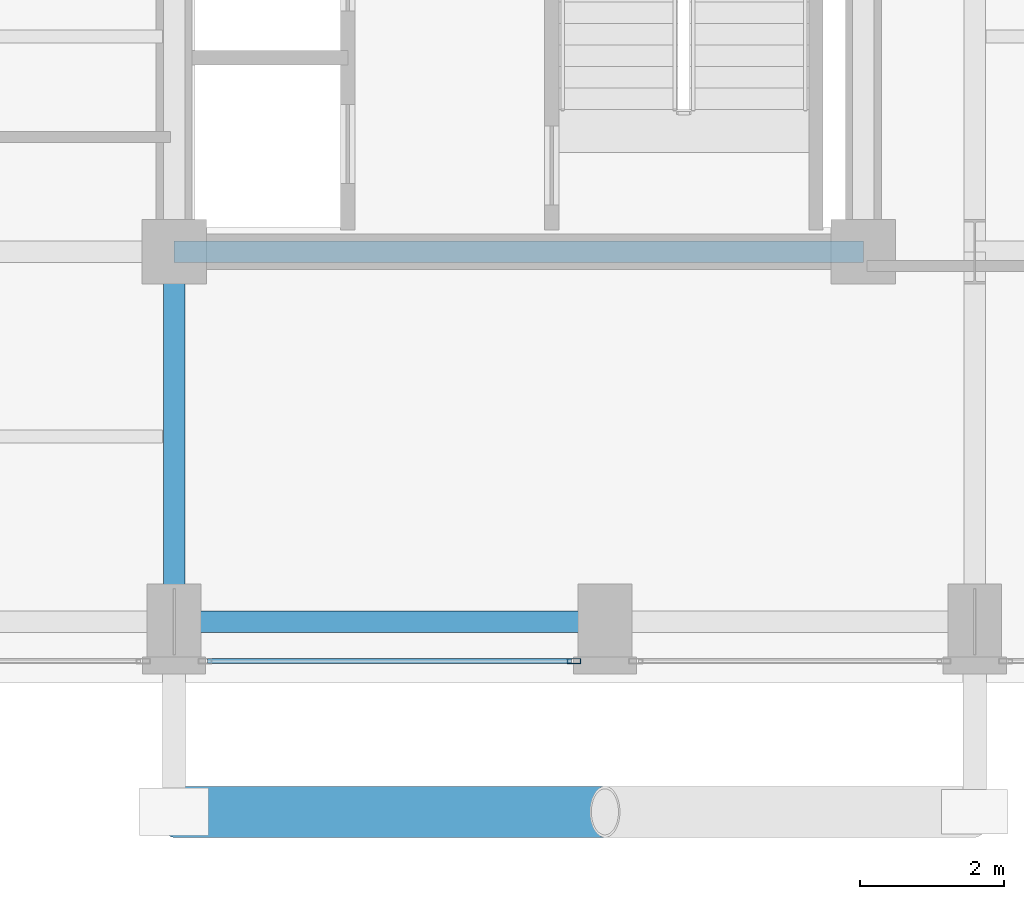
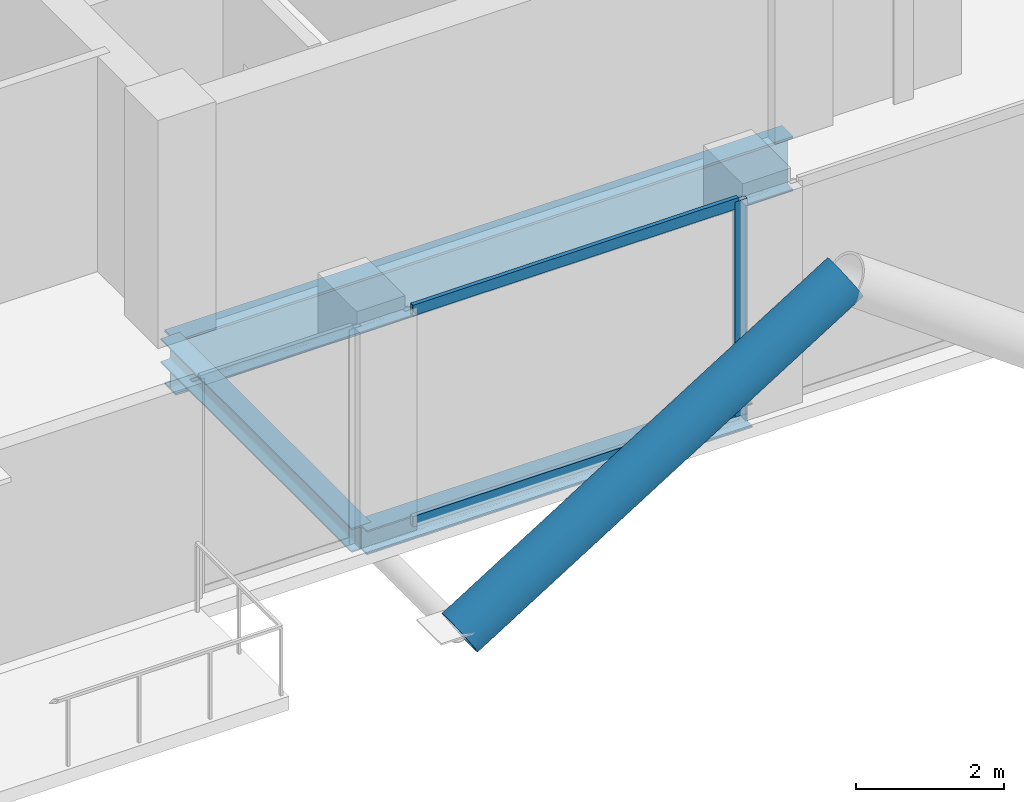
# One storey, part 5 of 21: 4 members, 3 beams, 1 element without a shape of its own.
"""IFC4 building model written with IfcOpenShell, lengths in metres."""

from ifc_helpers import new_model, si_unit, direction, frame, origin, origin_2d, place, context, subcontext, project, spatial, hollow_rectangle, hollow_circle, i_section, extrude, material, layer, layer_set, material_profile, profile_set, type_object, element, aggregate, save


model = new_model("IFC4")

# Units and contexts
model_context = context("Model", 3, precision=1e-05, world=origin(), true_north=direction((0.0, 1.0)))
body_context = subcontext(model_context, "Body", "Model", "MODEL_VIEW")
ifc_project = project(units=[si_unit("LENGTHUNIT", "METRE"), si_unit("AREAUNIT", "SQUARE_METRE"), si_unit("VOLUMEUNIT", "CUBIC_METRE"), si_unit("PLANEANGLEUNIT", "RADIAN"), si_unit("MASSUNIT", "GRAM", prefix="KILO"), si_unit("THERMODYNAMICTEMPERATUREUNIT", "KELVIN"), si_unit("POWERUNIT", "WATT")], contexts=[model_context])

# Site, building, storey
site_placement = place(None, origin())
site = spatial("IfcSite", under=ifc_project, at=site_placement, CompositionType="ELEMENT")
building_placement = place(site_placement, origin())
building = spatial("IfcBuilding", under=site, at=building_placement, Name="Svarakhadi Broadcast Tower", CompositionType="ELEMENT")
storey_placement = place(building_placement, frame((0.0, 0.0, 223.64990234375)))
storey = spatial("IfcBuildingStorey", under=building, at=storey_placement, Name="L55", CompositionType="ELEMENT", Elevation=223.64990234375)

# Curtain wall, members
ifc_material_1 = material(Name="Anodised Bronze Aluminium AA 6063-T6", Category="aluminium")
ifc_layer = layer(ifc_material_1, 0.18994140625)
ifc_layer_set = layer_set([ifc_layer], Name="Anodised Bronze Aluminium AA 6063-T6")
curtain_wall_type = type_object("IfcCurtainWallType", Name="CW_Sys_04", PredefinedType="NOTDEFINED", material=ifc_layer_set)
curtain_wall_placement = place(storey_placement, origin())
curtain_wall = element("IfcCurtainWall", 1, at=curtain_wall_placement, inside=storey, type_object=curtain_wall_type, Name="L55 South Curtain Wall 16 Bay 3", PredefinedType="NOTDEFINED")
ifc_material_profile_1 = material_profile(ifc_material_1, hollow_rectangle(XDim=0.070068359375, YDim=0.18994140625, WallThickness=0.005615234375, at=origin_2d()), Name="ALU MULLION 190x70x6")
ifc_profile_set_1 = profile_set([ifc_material_profile_1], Name="Anodised Bronze Aluminium AA 6063-T6")
member_type_1 = type_object("IfcMemberType", Name="CW_Sys_04_Mul", PredefinedType="MULLION", material=ifc_profile_set_1)
member_1_placement = place(storey_placement, frame((29.570068359375, 0.300048828125, 0.0), z_axis=(0.0, 0.0, 1.0), x_axis=(0.0, -1.0, 0.0)))
member_1 = element("IfcMember", 2, at=member_1_placement, type_object=member_type_1, Name="CW-04 mullion 1", PredefinedType="MULLION", context=body_context, shape_type="SweptSolid", body=[
    extrude(hollow_rectangle(XDim=0.070068359375, YDim=0.18994140625, WallThickness=0.005615234375, at=origin_2d()), origin(), (0.0, 0.0, 1.0), 3.5400390625),
])
ifc_material_profile_2 = material_profile(ifc_material_1, hollow_rectangle(XDim=0.06494140625, YDim=0.175048828125, WallThickness=0.0048828125, at=origin_2d()), Name="ALU TRANSOM 175x65x5")
ifc_profile_set_2 = profile_set([ifc_material_profile_2], Name="Anodised Bronze Aluminium AA 6063-T6")
member_type_2 = type_object("IfcMemberType", Name="CW_Sys_04_Trn", PredefinedType="USERDEFINED", material=ifc_profile_set_2)
member_2_placement = place(storey_placement, frame((29.534912109375, 0.300048828125, 0.03271484375), z_axis=(-1.0, 0.0, 0.0), x_axis=(0.0, -1.0, 0.0)))
member_2 = element("IfcMember", 3, at=member_2_placement, type_object=member_type_2, Name="CW-04 transom 1.1", ObjectType="TRANSOM", PredefinedType="USERDEFINED", context=body_context, shape_type="SweptSolid", body=[
    extrude(hollow_rectangle(XDim=0.06494140625, YDim=0.175048828125, WallThickness=0.0048828125, at=origin_2d()), origin(), (0.0, 0.0, 1.0), 5.06982421875),
])
member_3_placement = place(storey_placement, frame((29.534912109375, 0.300048828125, 3.507568359375), z_axis=(-1.0, 0.0, 0.0), x_axis=(0.0, -1.0, 0.0)))
member_3 = element("IfcMember", 4, at=member_3_placement, type_object=member_type_2, Name="CW-04 transom 1.2", ObjectType="TRANSOM", PredefinedType="USERDEFINED", context=body_context, shape_type="SweptSolid", body=[
    extrude(hollow_rectangle(XDim=0.06494140625, YDim=0.175048828125, WallThickness=0.0048828125, at=origin_2d()), origin(), (0.0, 0.0, 1.0), 5.06982421875),
])
aggregate(curtain_wall, [member_1, member_2, member_3])

# Member
ifc_material_2 = material(Name="Steel S460ML (IS 2062 E450BR)", Category="steel")
ifc_material_profile_3 = material_profile(ifc_material_2, hollow_circle(Radius=0.35546875, WallThickness=0.034912109375, at=origin_2d()), Name="CHS 711x35")
ifc_profile_set_3 = profile_set([ifc_material_profile_3], Name="Steel S460ML (IS 2062 E450BR)")
member_type_3 = type_object("IfcMemberType", Name="Exo_Brace_CHS711", PredefinedType="BRACE", material=ifc_profile_set_3)
member_4_placement = place(storey_placement, frame((24.0, -1.800048828125, -0.371826171875), z_axis=(0.847998304005, 0.0, 0.529998940003), x_axis=(0.0, 1.0, 0.0)))
element("IfcMember", 5, at=member_4_placement, inside=storey, type_object=member_type_3, Name="L55 Exposed Bronze Exoskeleton Diagonal S01", PredefinedType="BRACE", context=body_context, shape_type="SweptSolid", body=[
    extrude(hollow_circle(Radius=0.35546875, WallThickness=0.034912109375, at=origin_2d()), origin(), (0.0, 0.0, 1.0), 7.075439453125),
])

# Beams
ifc_material_3 = material(Name="Steel S355J2 (IS 2062 E350C)", Category="steel")
ifc_material_profile_4 = material_profile(ifc_material_3, i_section(OverallWidth=0.300048828125, OverallDepth=0.39990234375, WebThickness=0.013427734375, FlangeThickness=0.02392578125, FilletRadius=0.027099609375, at=origin_2d()), Name="WPB 400x300x155")
ifc_profile_set_4 = profile_set([ifc_material_profile_4], Name="Steel S355J2 (IS 2062 E350C)")
beam_type_1 = type_object("IfcBeamType", Name="Girder_WPB400", PredefinedType="USERDEFINED", material=ifc_profile_set_4)
beam_1_placement = place(storey_placement, frame((24.0, 0.85009765625, -0.409912109375), z_axis=(1.0, 0.0, 0.0), x_axis=(0.0, 1.0, 0.0)))
element("IfcBeam", 6, at=beam_1_placement, inside=storey, type_object=beam_type_1, Name="L55 Primary E-W Girder G007", ObjectType="GIRDER", PredefinedType="USERDEFINED", context=body_context, shape_type="SweptSolid", body=[
    extrude(i_section(OverallWidth=0.300048828125, OverallDepth=0.39990234375, WebThickness=0.013427734375, FlangeThickness=0.02392578125, FilletRadius=0.027099609375, at=origin_2d()), origin(), (0.0, 0.0, 1.0), 6.0),
])
beam_2_placement = place(storey_placement, frame((24.0, 0.85009765625, -0.409912109375), z_axis=(0.0, 1.0, 0.0), x_axis=(-1.0, 0.0, 0.0)))
element("IfcBeam", 7, at=beam_2_placement, inside=storey, type_object=beam_type_1, Name="L55 Primary N-S Girder G051", ObjectType="GIRDER", PredefinedType="USERDEFINED", context=body_context, shape_type="SweptSolid", body=[
    extrude(i_section(OverallWidth=0.300048828125, OverallDepth=0.39990234375, WebThickness=0.013427734375, FlangeThickness=0.02392578125, FilletRadius=0.027099609375, at=origin_2d()), origin(), (0.0, 0.0, 1.0), 5.14990234375),
])
ifc_material_profile_5 = material_profile(ifc_material_2, i_section(OverallWidth=0.300048828125, OverallDepth=0.89990234375, WebThickness=0.0185546875, FlangeThickness=0.034912109375, FilletRadius=0.030029296875, at=origin_2d()), Name="WPB 900x300x291")
ifc_profile_set_5 = profile_set([ifc_material_profile_5], Name="Steel S460ML (IS 2062 E450BR)")
beam_type_2 = type_object("IfcBeamType", Name="Girder_WPB900", PredefinedType="USERDEFINED", material=ifc_profile_set_5)
beam_3_placement = place(storey_placement, frame((24.0, 6.0, -0.659912109375), z_axis=(1.0, 0.0, 0.0), x_axis=(0.0, 1.0, 0.0)))
element("IfcBeam", 8, at=beam_3_placement, inside=storey, type_object=beam_type_2, Name="L55 Primary E-W Girder G013", ObjectType="GIRDER", PredefinedType="USERDEFINED", context=body_context, shape_type="SweptSolid", body=[
    extrude(i_section(OverallWidth=0.300048828125, OverallDepth=0.89990234375, WebThickness=0.0185546875, FlangeThickness=0.034912109375, FilletRadius=0.030029296875, at=origin_2d()), origin(), (0.0, 0.0, 1.0), 9.60009765625),
])

save(model, "model.ifc")
